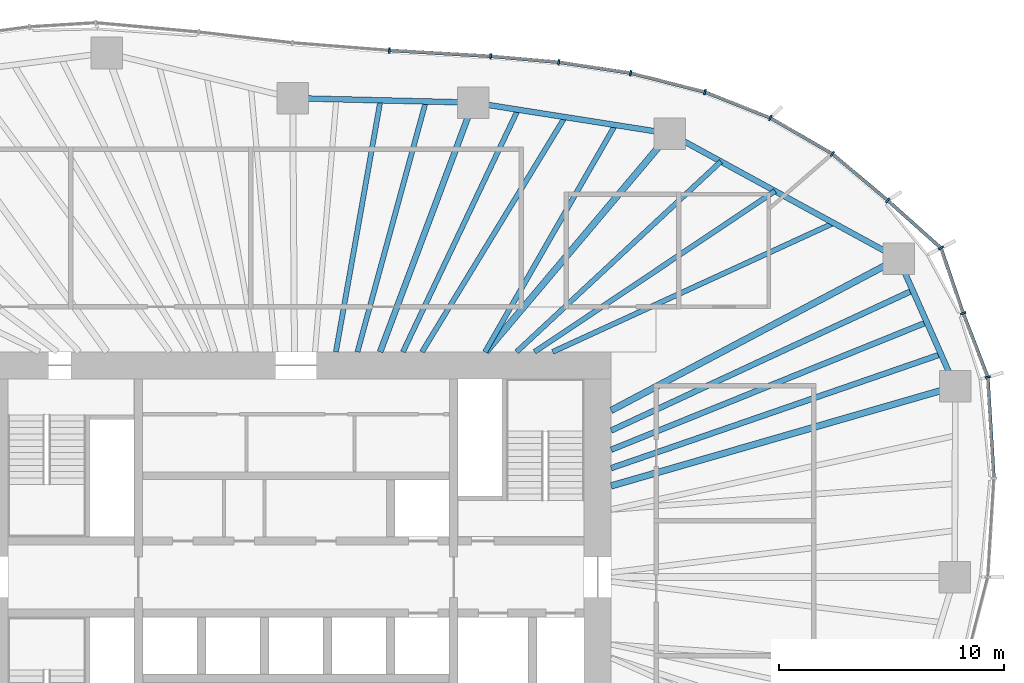
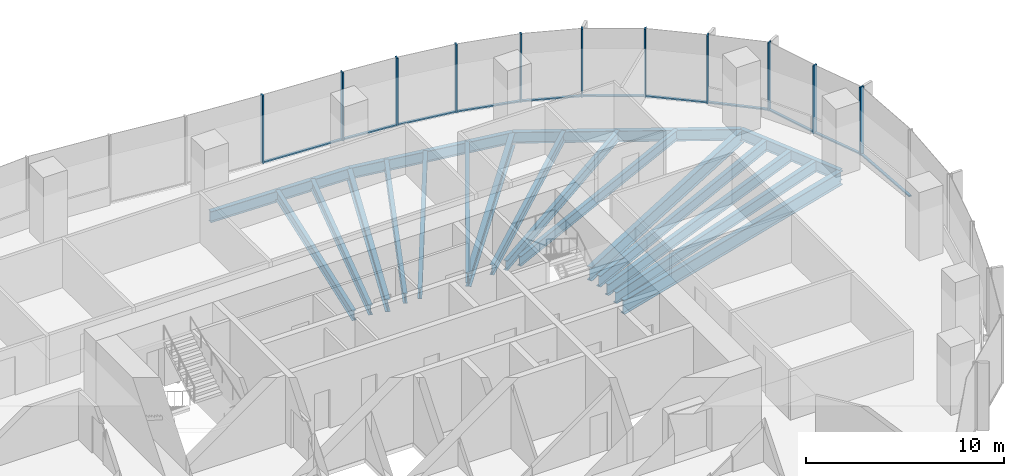
# One storey, part 6 of 18: 22 members, 19 beams, 5 elements without a shape of their own.
"""IFC4 building model written with IfcOpenShell, lengths in metres."""

from ifc_helpers import new_model, si_unit, direction, frame, origin, origin_2d, place, context, subcontext, project, spatial, rectangle, i_section, extrude, material, material_profile, profile_set, type_object, element, aggregate, save


model = new_model("IFC4")

# Units and contexts
model_context = context("Model", 3, precision=1e-05, world=origin(), true_north=direction((0.0, 1.0)))
body_context = subcontext(model_context, "Body", "Model", "MODEL_VIEW")
ifc_project = project(units=[si_unit("LENGTHUNIT", "METRE"), si_unit("AREAUNIT", "SQUARE_METRE"), si_unit("VOLUMEUNIT", "CUBIC_METRE"), si_unit("PLANEANGLEUNIT", "RADIAN"), si_unit("MASSUNIT", "GRAM", prefix="KILO")], contexts=[model_context])

# Site, building, storey
site_placement = place(None, origin())
site = spatial("IfcSite", under=ifc_project, at=site_placement, CompositionType="ELEMENT")
building_placement = place(site_placement, origin())
building = spatial("IfcBuilding", under=site, at=building_placement, Name="Ghaith Harvest Tower", CompositionType="ELEMENT")
storey_placement = place(building_placement, frame((0.0, 0.0, 180.60009765625)))
storey = spatial("IfcBuildingStorey", under=building, at=storey_placement, Name="L39", CompositionType="ELEMENT", Elevation=180.60009765625)

# Curtain wall, members
ifc_material_1 = material(Name="Black anodised aluminium and fritted glass", Category="aluminium")
curtain_wall_type = type_object("IfcCurtainWallType", Name="CW-L CURTAIN WALL", PredefinedType="NOTDEFINED", material=ifc_material_1)
curtain_wall_1_placement = place(storey_placement, origin())
curtain_wall_1 = element("IfcCurtainWall", 1, at=curtain_wall_1_placement, inside=storey, type_object=curtain_wall_type, Name="Curtain wall CW-L bay 02 L39", PredefinedType="NOTDEFINED")
ifc_material_2 = material(Name="Aluminium, black anodised", Category="aluminium")
ifc_material_profile_1 = material_profile(ifc_material_2, rectangle(XDim=0.080078125, YDim=0.239990234375, at=origin_2d()), Name="CW-L MULLION 80x240")
ifc_profile_set_1 = profile_set([ifc_material_profile_1], Name="Aluminium, black anodised")
member_type_1 = type_object("IfcMemberType", Name="CW-L MULLION 80x240", PredefinedType="MULLION", material=ifc_profile_set_1)
member_1_placement = place(storey_placement, frame((30.727294921875, 8.880859375, 0.0), z_axis=(0.0, 0.0, 1.0), x_axis=(-0.183070248196, 0.983099834313, 0.0)))
member_1 = element("IfcMember", 2, at=member_1_placement, type_object=member_type_1, Name="CW-L mullion 1 bay 02 L39", PredefinedType="MULLION", context=body_context, shape_type="SweptSolid", body=[
    extrude(rectangle(XDim=0.080078125, YDim=0.239990234375, at=origin_2d()), origin(), (0.0, 0.0, 1.0), 4.199951171875),
])
member_2_placement = place(storey_placement, frame((29.634521484375, 11.7158203125, 0.0), z_axis=(0.0, 0.0, 1.0), x_axis=(-0.340771198528, 0.940146260033, 0.0)))
member_2 = element("IfcMember", 3, at=member_2_placement, type_object=member_type_1, Name="CW-L mullion 2 bay 02 L39", PredefinedType="MULLION", context=body_context, shape_type="SweptSolid", body=[
    extrude(rectangle(XDim=0.080078125, YDim=0.239990234375, at=origin_2d()), origin(), (0.0, 0.0, 1.0), 4.199951171875),
])
member_3_placement = place(storey_placement, frame((28.64990234375, 14.61181640625, 0.0), z_axis=(0.0, 0.0, 1.0), x_axis=(-0.556324287652, 0.830965274225, 0.0)))
member_3 = element("IfcMember", 4, at=member_3_placement, type_object=member_type_1, Name="CW-L mullion 3 bay 02 L39", PredefinedType="MULLION", context=body_context, shape_type="SweptSolid", body=[
    extrude(rectangle(XDim=0.080078125, YDim=0.239990234375, at=origin_2d()), origin(), (0.0, 0.0, 1.0), 4.199951171875),
])

curtain_wall_2_placement = place(storey_placement, origin())
curtain_wall_2 = element("IfcCurtainWall", 5, at=curtain_wall_2_placement, inside=storey, type_object=curtain_wall_type, Name="Curtain wall CW-L bay 03 L39", PredefinedType="NOTDEFINED")
member_4_placement = place(storey_placement, frame((26.28076171875, 16.725341796875, 0.0), z_axis=(0.0, 0.0, 1.0), x_axis=(-0.755999423268, 0.654572281737, 0.0)))
member_4 = element("IfcMember", 6, at=member_4_placement, type_object=member_type_1, Name="CW-L mullion 1 bay 03 L39", PredefinedType="MULLION", context=body_context, shape_type="SweptSolid", body=[
    extrude(rectangle(XDim=0.080078125, YDim=0.239990234375, at=origin_2d()), origin(), (0.0, 0.0, 1.0), 4.199951171875),
])
member_5_placement = place(storey_placement, frame((23.82177734375, 18.792236328125, 0.0), z_axis=(0.0, 0.0, 1.0), x_axis=(-0.818228862146, 0.574892624018, 0.0)))
member_5 = element("IfcMember", 7, at=member_5_placement, type_object=member_type_1, Name="CW-L mullion 2 bay 03 L39", PredefinedType="MULLION", context=body_context, shape_type="SweptSolid", body=[
    extrude(rectangle(XDim=0.080078125, YDim=0.239990234375, at=origin_2d()), origin(), (0.0, 0.0, 1.0), 4.199951171875),
])
member_6_placement = place(storey_placement, frame((21.066162109375, 20.38916015625, 0.0), z_axis=(0.0, 0.0, 1.0), x_axis=(-0.899713343282, 0.436481270985, 0.0)))
member_6 = element("IfcMember", 8, at=member_6_placement, type_object=member_type_1, Name="CW-L mullion 3 bay 03 L39", PredefinedType="MULLION", context=body_context, shape_type="SweptSolid", body=[
    extrude(rectangle(XDim=0.080078125, YDim=0.239990234375, at=origin_2d()), origin(), (0.0, 0.0, 1.0), 4.199951171875),
])

curtain_wall_3_placement = place(storey_placement, origin())
curtain_wall_3 = element("IfcCurtainWall", 9, at=curtain_wall_3_placement, inside=storey, type_object=curtain_wall_type, Name="Curtain wall CW-L bay 04 L39", PredefinedType="NOTDEFINED")
member_7_placement = place(storey_placement, frame((18.162353515625, 21.537841796875, 0.0), z_axis=(0.0, 0.0, 1.0), x_axis=(-0.952152258113, 0.30562407852, 0.0)))
member_7 = element("IfcMember", 10, at=member_7_placement, type_object=member_type_1, Name="CW-L mullion 1 bay 04 L39", PredefinedType="MULLION", context=body_context, shape_type="SweptSolid", body=[
    extrude(rectangle(XDim=0.080078125, YDim=0.239990234375, at=origin_2d()), origin(), (0.0, 0.0, 1.0), 4.199951171875),
])
member_8_placement = place(storey_placement, frame((14.86474609375, 22.379638671875, 0.0), z_axis=(0.0, 0.0, 1.0), x_axis=(-0.979751952122, 0.200215165041, 0.0)))
member_8 = element("IfcMember", 11, at=member_8_placement, type_object=member_type_1, Name="CW-L mullion 2 bay 04 L39", PredefinedType="MULLION", context=body_context, shape_type="SweptSolid", body=[
    extrude(rectangle(XDim=0.080078125, YDim=0.239990234375, at=origin_2d()), origin(), (0.0, 0.0, 1.0), 4.199951171875),
])
member_9_placement = place(storey_placement, frame((11.672607421875, 22.864013671875, 0.0), z_axis=(0.0, 0.0, 1.0), x_axis=(-0.992800497873, 0.119779678673, 0.0)))
member_9 = element("IfcMember", 12, at=member_9_placement, type_object=member_type_1, Name="CW-L mullion 3 bay 04 L39", PredefinedType="MULLION", context=body_context, shape_type="SweptSolid", body=[
    extrude(rectangle(XDim=0.080078125, YDim=0.239990234375, at=origin_2d()), origin(), (0.0, 0.0, 1.0), 4.199951171875),
])

curtain_wall_4_placement = place(storey_placement, origin())
curtain_wall_4 = element("IfcCurtainWall", 13, at=curtain_wall_4_placement, inside=storey, type_object=curtain_wall_type, Name="Curtain wall CW-L bay 05 L39", PredefinedType="NOTDEFINED")
member_10_placement = place(storey_placement, frame((8.646728515625, 23.1298828125, 0.0), z_axis=(0.0, 0.0, 1.0), x_axis=(-0.997558767319, 0.069831982257, 0.0)))
member_10 = element("IfcMember", 14, at=member_10_placement, type_object=member_type_1, Name="CW-L mullion 1 bay 05 L39", PredefinedType="MULLION", context=body_context, shape_type="SweptSolid", body=[
    extrude(rectangle(XDim=0.080078125, YDim=0.239990234375, at=origin_2d()), origin(), (0.0, 0.0, 1.0), 4.199951171875),
])
member_11_placement = place(storey_placement, frame((4.146728515625, 23.390869140625, 0.0), z_axis=(0.0, 0.0, 1.0), x_axis=(-0.997689895047, 0.067932858925, 0.0)))
member_11 = element("IfcMember", 15, at=member_11_placement, type_object=member_type_1, Name="CW-L mullion 2 bay 05 L39", PredefinedType="MULLION", context=body_context, shape_type="SweptSolid", body=[
    extrude(rectangle(XDim=0.080078125, YDim=0.239990234375, at=origin_2d()), origin(), (0.0, 0.0, 1.0), 4.199951171875),
])

# Curtain wall, member
curtain_wall_5_placement = place(storey_placement, origin())
curtain_wall_5 = element("IfcCurtainWall", 16, at=curtain_wall_5_placement, inside=storey, type_object=curtain_wall_type, Name="Curtain wall CW-L bay 01 L39", PredefinedType="NOTDEFINED")
ifc_material_3 = material(Name="Aluminium, black anodised", Category="aluminium")
ifc_material_profile_2 = material_profile(ifc_material_3, rectangle(XDim=0.14990234375, YDim=0.080078125, at=origin_2d()), Name="CW-L TRANSOM 150x80")
ifc_profile_set_2 = profile_set([ifc_material_profile_2], Name="Aluminium, black anodised")
member_type_2 = type_object("IfcMemberType", Name="CW-L TRANSOM 150x80", PredefinedType="USERDEFINED", material=ifc_profile_set_2)
member_12_placement = place(storey_placement, frame((30.996337890625, 4.4296875, 0.039794921875), z_axis=(-0.060328261132, 0.99817859169, 0.0), x_axis=(-0.99817859169, -0.060328261132, 0.0)))
member_12 = element("IfcMember", 17, at=member_12_placement, type_object=member_type_2, Name="CW-L transom 2 bay 01 L39", ObjectType="TRANSOM", PredefinedType="USERDEFINED", context=body_context, shape_type="SweptSolid", body=[
    extrude(rectangle(XDim=0.14990234375, YDim=0.080078125, at=origin_2d()), origin(), (0.0, 0.0, 1.0), 4.419189453125),
])
aggregate(curtain_wall_5, [member_12])

# Member
member_13_placement = place(storey_placement, frame((30.712890625, 8.918212890625, 0.039794921875), z_axis=(-0.359637050526, 0.933092274048, 0.0), x_axis=(-0.933092274048, -0.359637050526, 0.0)))
member_13 = element("IfcMember", 18, at=member_13_placement, type_object=member_type_2, Name="CW-L transom 1 bay 02 L39", ObjectType="TRANSOM", PredefinedType="USERDEFINED", context=body_context, shape_type="SweptSolid", body=[
    extrude(rectangle(XDim=0.14990234375, YDim=0.080078125, at=origin_2d()), origin(), (0.0, 0.0, 1.0), 2.95849609375),
])

member_14_placement = place(storey_placement, frame((29.62158203125, 11.75390625, 0.039794921875), z_axis=(-0.321877752664, 0.946781237847, 0.0), x_axis=(-0.946781237847, -0.321877752664, 0.0)))
member_14 = element("IfcMember", 19, at=member_14_placement, type_object=member_type_2, Name="CW-L transom 2 bay 02 L39", ObjectType="TRANSOM", PredefinedType="USERDEFINED", context=body_context, shape_type="SweptSolid", body=[
    extrude(rectangle(XDim=0.14990234375, YDim=0.080078125, at=origin_2d()), origin(), (0.0, 0.0, 1.0), 2.978515625),
])

member_15_placement = place(storey_placement, frame((28.6201171875, 14.638427734375, 0.039794921875), z_axis=(-0.74622871112, 0.665689650438, 0.0), x_axis=(-0.665689650438, -0.74622871112, 0.0)))
member_15 = element("IfcMember", 20, at=member_15_placement, type_object=member_type_2, Name="CW-L transom 3 bay 02 L39", ObjectType="TRANSOM", PredefinedType="USERDEFINED", context=body_context, shape_type="SweptSolid", body=[
    extrude(rectangle(XDim=0.14990234375, YDim=0.080078125, at=origin_2d()), origin(), (0.0, 0.0, 1.0), 3.094970703125),
])

aggregate(curtain_wall_1, [member_1, member_13, member_2, member_14, member_3, member_15])

member_16_placement = place(storey_placement, frame((26.25, 16.7509765625, 0.039794921875), z_axis=(-0.765428400685, 0.643521066808, 0.0), x_axis=(-0.643521066808, -0.765428400685, 0.0)))
member_16 = element("IfcMember", 21, at=member_16_placement, type_object=member_type_2, Name="CW-L transom 1 bay 03 L39", ObjectType="TRANSOM", PredefinedType="USERDEFINED", context=body_context, shape_type="SweptSolid", body=[
    extrude(rectangle(XDim=0.14990234375, YDim=0.080078125, at=origin_2d()), origin(), (0.0, 0.0, 1.0), 3.132080078125),
])

member_17_placement = place(storey_placement, frame((23.787353515625, 18.812255859375, 0.039794921875), z_axis=(-0.865212673937, 0.50140505468, 0.0), x_axis=(-0.50140505468, -0.865212673937, 0.0)))
member_17 = element("IfcMember", 22, at=member_17_placement, type_object=member_type_2, Name="CW-L transom 2 bay 03 L39", ObjectType="TRANSOM", PredefinedType="USERDEFINED", context=body_context, shape_type="SweptSolid", body=[
    extrude(rectangle(XDim=0.14990234375, YDim=0.080078125, at=origin_2d()), origin(), (0.0, 0.0, 1.0), 3.10498046875),
])

member_18_placement = place(storey_placement, frame((21.029052734375, 20.40380859375, 0.039794921875), z_axis=(-0.929880954826, 0.367860584804, 0.0), x_axis=(-0.367860584804, -0.929880954826, 0.0)))
member_18 = element("IfcMember", 23, at=member_18_placement, type_object=member_type_2, Name="CW-L transom 3 bay 03 L39", ObjectType="TRANSOM", PredefinedType="USERDEFINED", context=body_context, shape_type="SweptSolid", body=[
    extrude(rectangle(XDim=0.14990234375, YDim=0.080078125, at=origin_2d()), origin(), (0.0, 0.0, 1.0), 3.04296875),
])

aggregate(curtain_wall_2, [member_4, member_16, member_5, member_17, member_6, member_18])

member_19_placement = place(storey_placement, frame((18.12353515625, 21.5478515625, 0.039794921875), z_axis=(-0.968942433805, 0.247286392614, 0.0), x_axis=(-0.247286392614, -0.968942433805, 0.0)))
member_19 = element("IfcMember", 24, at=member_19_placement, type_object=member_type_2, Name="CW-L transom 1 bay 04 L39", ObjectType="TRANSOM", PredefinedType="USERDEFINED", context=body_context, shape_type="SweptSolid", body=[
    extrude(rectangle(XDim=0.14990234375, YDim=0.080078125, at=origin_2d()), origin(), (0.0, 0.0, 1.0), 3.3232421875),
])

member_20_placement = place(storey_placement, frame((14.8251953125, 22.3857421875, 0.039794921875), z_axis=(-0.988680676153, 0.150035064572, 0.0), x_axis=(-0.150035064572, -0.988680676153, 0.0)))
member_20 = element("IfcMember", 25, at=member_20_placement, type_object=member_type_2, Name="CW-L transom 2 bay 04 L39", ObjectType="TRANSOM", PredefinedType="USERDEFINED", context=body_context, shape_type="SweptSolid", body=[
    extrude(rectangle(XDim=0.14990234375, YDim=0.080078125, at=origin_2d()), origin(), (0.0, 0.0, 1.0), 3.148681640625),
])

member_21_placement = place(storey_placement, frame((11.632568359375, 22.86767578125, 0.039794921875), z_axis=(-0.996171193061, 0.087423990507, 0.0), x_axis=(-0.087423990507, -0.996171193061, 0.0)))
member_21 = element("IfcMember", 26, at=member_21_placement, type_object=member_type_2, Name="CW-L transom 3 bay 04 L39", ObjectType="TRANSOM", PredefinedType="USERDEFINED", context=body_context, shape_type="SweptSolid", body=[
    extrude(rectangle(XDim=0.14990234375, YDim=0.080078125, at=origin_2d()), origin(), (0.0, 0.0, 1.0), 2.957275390625),
])

aggregate(curtain_wall_3, [member_7, member_19, member_8, member_20, member_9, member_21])

member_22_placement = place(storey_placement, frame((8.60693359375, 23.132080078125, 0.039794921875), z_axis=(-0.998319515187, 0.057949509028, 0.0), x_axis=(-0.057949509028, -0.998319515187, 0.0)))
member_22 = element("IfcMember", 27, at=member_22_placement, type_object=member_type_2, Name="CW-L transom 1 bay 05 L39", ObjectType="TRANSOM", PredefinedType="USERDEFINED", context=body_context, shape_type="SweptSolid", body=[
    extrude(rectangle(XDim=0.14990234375, YDim=0.080078125, at=origin_2d()), origin(), (0.0, 0.0, 1.0), 4.427734375),
])

aggregate(curtain_wall_4, [member_10, member_22, member_11])

# Beams
ifc_material_4 = material(Name="Steel ASTM A992 Grade 50", Category="steel")
ifc_material_profile_3 = material_profile(ifc_material_4, i_section(OverallWidth=0.25390625, OverallDepth=0.68408203125, WebThickness=0.012451171875, FlangeThickness=0.018798828125, at=origin_2d()), Name="W690X140")
ifc_profile_set_3 = profile_set([ifc_material_profile_3], Name="Steel ASTM A992 Grade 50")
beam_type_1 = type_object("IfcBeamType", Name="E690-140 W690X140", PredefinedType="SPANDREL", material=ifc_profile_set_3)
beam_1_placement = place(storey_placement, frame((29.285888671875, 8.464111328125, -0.51220703125), z_axis=(-0.405635615749, 0.914034872002, 0.0), x_axis=(-0.914034872002, -0.405635615749, 0.0)))
element("IfcBeam", 28, at=beam_1_placement, inside=storey, type_object=beam_type_1, Name="Edge beam E02 L39", PredefinedType="SPANDREL", context=body_context, shape_type="SweptSolid", body=[
    extrude(i_section(OverallWidth=0.25390625, OverallDepth=0.68408203125, WebThickness=0.012451171875, FlangeThickness=0.018798828125, at=origin_2d()), origin(), (0.0, 0.0, 1.0), 6.21728515625),
])
beam_2_placement = place(storey_placement, frame((26.763916015625, 14.14697265625, -0.51220703125), z_axis=(-0.877588218279, 0.479415184509, 0.0), x_axis=(-0.479415184509, -0.877588218279, 0.0)))
element("IfcBeam", 29, at=beam_2_placement, inside=storey, type_object=beam_type_1, Name="Edge beam E03 L39", PredefinedType="SPANDREL", context=body_context, shape_type="SweptSolid", body=[
    extrude(i_section(OverallWidth=0.25390625, OverallDepth=0.68408203125, WebThickness=0.012451171875, FlangeThickness=0.018798828125, at=origin_2d()), origin(), (0.0, 0.0, 1.0), 11.57275390625),
])
beam_3_placement = place(storey_placement, frame((16.60791015625, 19.695068359375, -0.51220703125), z_axis=(-0.987788485872, 0.155800857439, 0.0), x_axis=(-0.155800857439, -0.987788485872, 0.0)))
element("IfcBeam", 30, at=beam_3_placement, inside=storey, type_object=beam_type_1, Name="Edge beam E04 L39", PredefinedType="SPANDREL", context=body_context, shape_type="SweptSolid", body=[
    extrude(i_section(OverallWidth=0.25390625, OverallDepth=0.68408203125, WebThickness=0.012451171875, FlangeThickness=0.018798828125, at=origin_2d()), origin(), (0.0, 0.0, 1.0), 8.837890625),
])
beam_4_placement = place(storey_placement, frame((7.8779296875, 21.072021484375, -0.51220703125), z_axis=(-0.999692679676, 0.024790042413, 0.0), x_axis=(-0.024790042413, -0.999692679676, 0.0)))
element("IfcBeam", 31, at=beam_4_placement, inside=storey, type_object=beam_type_1, Name="Edge beam E05 L39", PredefinedType="SPANDREL", context=body_context, shape_type="SweptSolid", body=[
    extrude(i_section(OverallWidth=0.25390625, OverallDepth=0.68408203125, WebThickness=0.012451171875, FlangeThickness=0.018798828125, at=origin_2d()), origin(), (0.0, 0.0, 1.0), 8.0263671875),
])
ifc_material_5 = material(Name="Steel ASTM A992 Grade 50", Category="steel")
ifc_material_profile_4 = material_profile(ifc_material_5, i_section(OverallWidth=0.26806640625, OverallDepth=0.77001953125, WebThickness=0.015625, FlangeThickness=0.025390625, at=origin_2d()), Name="W760X196")
ifc_profile_set_4 = profile_set([ifc_material_profile_4], Name="Steel ASTM A992 Grade 50")
beam_type_2 = type_object("IfcBeamType", Name="G760-196 W760X196", PredefinedType="BEAM", material=ifc_profile_set_4)
beam_5_placement = place(storey_placement, frame((3.73828125, 10.0, -0.55517578125), z_axis=(0.350206582147, 0.936672488024, 0.0), x_axis=(-0.936672488024, 0.350206582147, 0.0)))
element("IfcBeam", 32, at=beam_5_placement, inside=storey, type_object=beam_type_2, Name="Radial girder G05 L39", PredefinedType="BEAM", context=body_context, shape_type="SweptSolid", body=[
    extrude(i_section(OverallWidth=0.26806640625, OverallDepth=0.77001953125, WebThickness=0.015625, FlangeThickness=0.025390625, at=origin_2d()), origin(), (0.0, 0.0, 1.0), 11.820556640625),
])
ifc_material_6 = material(Name="Steel ASTM A992 Grade 50", Category="steel")
ifc_material_profile_5 = material_profile(ifc_material_6, i_section(OverallWidth=0.2939453125, OverallDepth=0.85107421875, WebThickness=0.01611328125, FlangeThickness=0.02685546875, at=origin_2d()), Name="W840X226")
ifc_profile_set_5 = profile_set([ifc_material_profile_5], Name="Steel ASTM A992 Grade 50")
beam_type_3 = type_object("IfcBeamType", Name="G840-226 W840X226", PredefinedType="BEAM", material=ifc_profile_set_5)
beam_6_placement = place(storey_placement, frame((14.0, 4.04638671875, -0.595703125), z_axis=(0.960683993303, 0.27764413376, 0.0), x_axis=(-0.27764413376, 0.960683993303, 0.0)))
element("IfcBeam", 33, at=beam_6_placement, inside=storey, type_object=beam_type_3, Name="Radial girder G02 L39", PredefinedType="BEAM", context=body_context, shape_type="SweptSolid", body=[
    extrude(i_section(OverallWidth=0.2939453125, OverallDepth=0.85107421875, WebThickness=0.01611328125, FlangeThickness=0.02685546875, at=origin_2d()), origin(), (0.0, 0.0, 1.0), 15.911376953125),
])
beam_7_placement = place(storey_placement, frame((14.0, 7.39990234375, -0.595703125), z_axis=(0.884082663971, 0.467330550324, 0.0), x_axis=(-0.467330550324, 0.884082663971, 0.0)))
element("IfcBeam", 34, at=beam_7_placement, inside=storey, type_object=beam_type_3, Name="Radial girder G03 L39", PredefinedType="BEAM", context=body_context, shape_type="SweptSolid", body=[
    extrude(i_section(OverallWidth=0.2939453125, OverallDepth=0.85107421875, WebThickness=0.01611328125, FlangeThickness=0.02685546875, at=origin_2d()), origin(), (0.0, 0.0, 1.0), 14.4375),
])
beam_8_placement = place(storey_placement, frame((8.4326171875, 10.0, -0.595703125), z_axis=(0.644644245772, 0.764482698557, 0.0), x_axis=(-0.764482698557, 0.644644245772, 0.0)))
element("IfcBeam", 35, at=beam_8_placement, inside=storey, type_object=beam_type_3, Name="Radial girder G04 L39", PredefinedType="BEAM", context=body_context, shape_type="SweptSolid", body=[
    extrude(i_section(OverallWidth=0.2939453125, OverallDepth=0.85107421875, WebThickness=0.01611328125, FlangeThickness=0.02685546875, at=origin_2d()), origin(), (0.0, 0.0, 1.0), 12.681884765625),
])
ifc_material_7 = material(Name="Steel ASTM A992 Grade 50", Category="steel")
ifc_material_profile_6 = material_profile(ifc_material_7, i_section(OverallWidth=0.22900390625, OverallDepth=0.612060546875, WebThickness=0.011962890625, FlangeThickness=0.01953125, at=origin_2d()), Name="W610X125")
ifc_profile_set_6 = profile_set([ifc_material_profile_6], Name="Steel ASTM A992 Grade 50")
beam_type_4 = type_object("IfcBeamType", Name="J610-125 W610X125", PredefinedType="JOIST", material=ifc_profile_set_6)
beam_9_placement = place(storey_placement, frame((11.39990234375, 10.0, -0.47607421875), z_axis=(0.909014022454, 0.416765529983, 0.0), x_axis=(-0.416765529983, 0.909014022454, 0.0)))
element("IfcBeam", 36, at=beam_9_placement, inside=storey, type_object=beam_type_4, Name="Joist J03.1 L39", PredefinedType="JOIST", context=body_context, shape_type="SweptSolid", body=[
    extrude(i_section(OverallWidth=0.22900390625, OverallDepth=0.612060546875, WebThickness=0.011962890625, FlangeThickness=0.01953125, at=origin_2d()), origin(), (0.0, 0.0, 1.0), 13.72998046875),
])
beam_10_placement = place(storey_placement, frame((10.60009765625, 10.0, -0.47607421875), z_axis=(0.831116486766, 0.556098359489, 0.0), x_axis=(-0.556098359489, 0.831116486766, 0.0)))
element("IfcBeam", 37, at=beam_10_placement, inside=storey, type_object=beam_type_4, Name="Joist J03.2 L39", PredefinedType="JOIST", context=body_context, shape_type="SweptSolid", body=[
    extrude(i_section(OverallWidth=0.22900390625, OverallDepth=0.612060546875, WebThickness=0.011962890625, FlangeThickness=0.01953125, at=origin_2d()), origin(), (0.0, 0.0, 1.0), 12.84716796875),
])
beam_11_placement = place(storey_placement, frame((9.800048828125, 10.0, -0.47607421875), z_axis=(0.731538123562, 0.681800538116, 0.0), x_axis=(-0.681800538116, 0.731538123562, 0.0)))
element("IfcBeam", 38, at=beam_11_placement, inside=storey, type_object=beam_type_4, Name="Joist J03.3 L39", PredefinedType="JOIST", context=body_context, shape_type="SweptSolid", body=[
    extrude(i_section(OverallWidth=0.22900390625, OverallDepth=0.612060546875, WebThickness=0.011962890625, FlangeThickness=0.01953125, at=origin_2d()), origin(), (0.0, 0.0, 1.0), 12.404052734375),
])
beam_12_placement = place(storey_placement, frame((8.39990234375, 10.0, -0.47607421875), z_axis=(0.497444212127, 0.867495968764, 0.0), x_axis=(-0.867495968764, 0.497444212127, 0.0)))
element("IfcBeam", 39, at=beam_12_placement, inside=storey, type_object=beam_type_4, Name="Joist J04.1 L39", PredefinedType="JOIST", context=body_context, shape_type="SweptSolid", body=[
    extrude(i_section(OverallWidth=0.22900390625, OverallDepth=0.612060546875, WebThickness=0.011962890625, FlangeThickness=0.01953125, at=origin_2d()), origin(), (0.0, 0.0, 1.0), 11.617431640625),
])
beam_13_placement = place(storey_placement, frame((5.60009765625, 10.0, -0.47607421875), z_axis=(0.519863845761, 0.854249133374, 0.0), x_axis=(-0.854249133374, 0.519863845761, 0.0)))
element("IfcBeam", 40, at=beam_13_placement, inside=storey, type_object=beam_type_4, Name="Joist J04.2 L39", PredefinedType="JOIST", context=body_context, shape_type="SweptSolid", body=[
    extrude(i_section(OverallWidth=0.22900390625, OverallDepth=0.612060546875, WebThickness=0.011962890625, FlangeThickness=0.01953125, at=origin_2d()), origin(), (0.0, 0.0, 1.0), 12.209716796875),
])
beam_14_placement = place(storey_placement, frame((4.75, 10.0, -0.47607421875), z_axis=(0.429069356877, 0.903271546651, 0.0), x_axis=(-0.903271546651, 0.429069356877, 0.0)))
element("IfcBeam", 41, at=beam_14_placement, inside=storey, type_object=beam_type_4, Name="Joist J04.3 L39", PredefinedType="JOIST", context=body_context, shape_type="SweptSolid", body=[
    extrude(i_section(OverallWidth=0.22900390625, OverallDepth=0.612060546875, WebThickness=0.011962890625, FlangeThickness=0.01953125, at=origin_2d()), origin(), (0.0, 0.0, 1.0), 11.911376953125),
])
beam_15_placement = place(storey_placement, frame((2.73095703125, 10.0, -0.47607421875), z_axis=(0.263455967932, 0.964671422279, 0.0), x_axis=(-0.964671422279, 0.263455967932, 0.0)))
element("IfcBeam", 42, at=beam_15_placement, inside=storey, type_object=beam_type_4, Name="Joist J05.1 L39", PredefinedType="JOIST", context=body_context, shape_type="SweptSolid", body=[
    extrude(i_section(OverallWidth=0.22900390625, OverallDepth=0.612060546875, WebThickness=0.011962890625, FlangeThickness=0.01953125, at=origin_2d()), origin(), (0.0, 0.0, 1.0), 11.53173828125),
])
beam_16_placement = place(storey_placement, frame((1.772705078125, 10.0, -0.47607421875), z_axis=(0.17455599258, 0.984647249249, 0.0), x_axis=(-0.984647249249, 0.17455599258, 0.0)))
element("IfcBeam", 43, at=beam_16_placement, inside=storey, type_object=beam_type_4, Name="Joist J05.2 L39", PredefinedType="JOIST", context=body_context, shape_type="SweptSolid", body=[
    extrude(i_section(OverallWidth=0.22900390625, OverallDepth=0.612060546875, WebThickness=0.011962890625, FlangeThickness=0.01953125, at=origin_2d()), origin(), (0.0, 0.0, 1.0), 11.3486328125),
])
ifc_material_8 = material(Name="Steel ASTM A992 Grade 50", Category="steel")
ifc_material_profile_7 = material_profile(ifc_material_8, i_section(OverallWidth=0.25390625, OverallDepth=0.68408203125, WebThickness=0.012451171875, FlangeThickness=0.018798828125, at=origin_2d()), Name="W690X140")
ifc_profile_set_7 = profile_set([ifc_material_profile_7], Name="Steel ASTM A992 Grade 50")
beam_type_5 = type_object("IfcBeamType", Name="J690-140 W690X140", PredefinedType="JOIST", material=ifc_profile_set_7)
beam_17_placement = place(storey_placement, frame((14.0, 4.835693359375, -0.51220703125), z_axis=(0.945204964965, 0.32647752481, 0.0), x_axis=(-0.32647752481, 0.945204964965, 0.0)))
element("IfcBeam", 44, at=beam_17_placement, inside=storey, type_object=beam_type_5, Name="Joist J02.1 L39", PredefinedType="JOIST", context=body_context, shape_type="SweptSolid", body=[
    extrude(i_section(OverallWidth=0.25390625, OverallDepth=0.68408203125, WebThickness=0.012451171875, FlangeThickness=0.018798828125, at=origin_2d()), origin(), (0.0, 0.0, 1.0), 15.499755859375),
])
beam_18_placement = place(storey_placement, frame((14.0, 5.653564453125, -0.51220703125), z_axis=(0.927247874511, 0.374448099495, 0.0), x_axis=(-0.374448099495, 0.927247874511, 0.0)))
element("IfcBeam", 45, at=beam_18_placement, inside=storey, type_object=beam_type_5, Name="Joist J02.2 L39", PredefinedType="JOIST", context=body_context, shape_type="SweptSolid", body=[
    extrude(i_section(OverallWidth=0.25390625, OverallDepth=0.68408203125, WebThickness=0.012451171875, FlangeThickness=0.018798828125, at=origin_2d()), origin(), (0.0, 0.0, 1.0), 15.12060546875),
])
beam_19_placement = place(storey_placement, frame((14.0, 6.506103515625, -0.51220703125), z_axis=(0.906865717917, 0.42141970726, 0.0), x_axis=(-0.42141970726, 0.906865717917, 0.0)))
element("IfcBeam", 46, at=beam_19_placement, inside=storey, type_object=beam_type_5, Name="Joist J02.3 L39", PredefinedType="JOIST", context=body_context, shape_type="SweptSolid", body=[
    extrude(i_section(OverallWidth=0.25390625, OverallDepth=0.68408203125, WebThickness=0.012451171875, FlangeThickness=0.018798828125, at=origin_2d()), origin(), (0.0, 0.0, 1.0), 14.768310546875),
])

save(model, "model.ifc")
